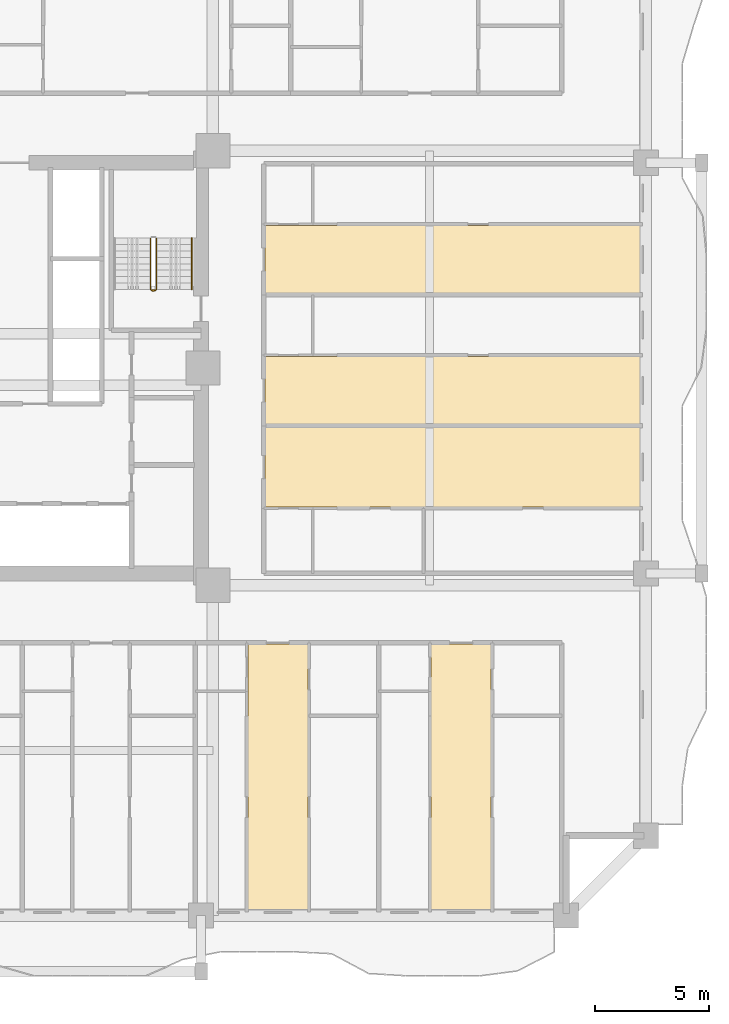
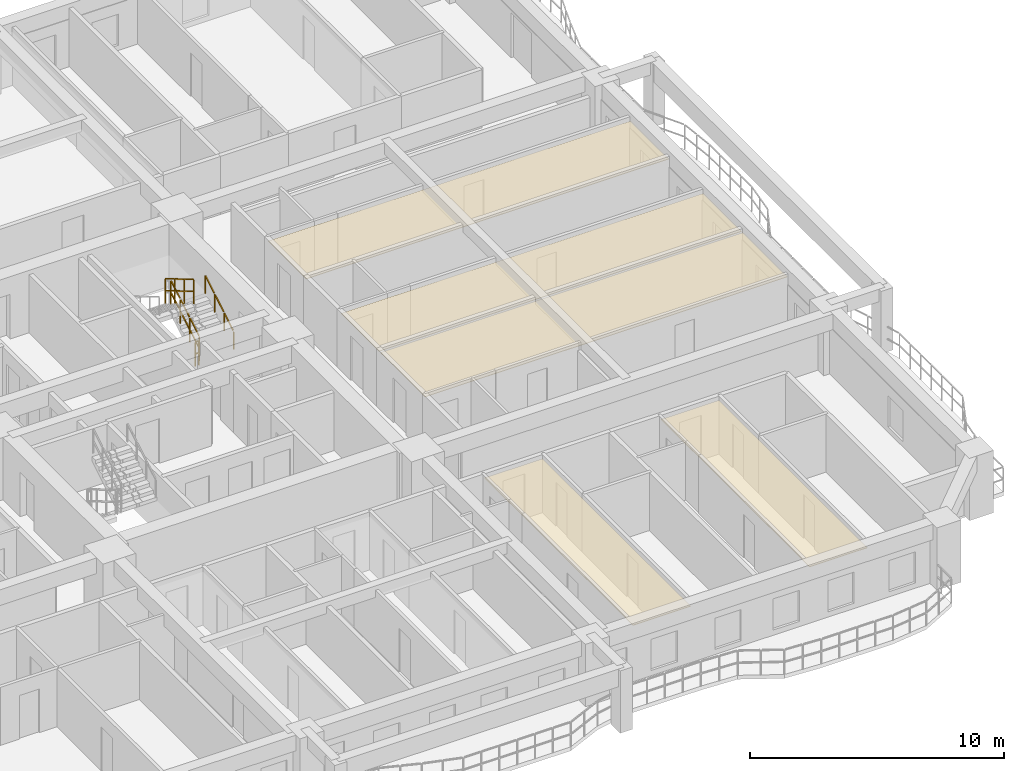
# One storey, part 14 of 16: 5 coverings, 4 railings.
"""IFC4 building model written with IfcOpenShell, lengths in metres."""

from ifc_helpers import new_model, si_unit, direction, frame, origin, origin_2d, place, context, subcontext, project, spatial, polyline, rectangle, outline, extrude, material, layer, layer_set, type_object, element, save


model = new_model("IFC4")

# Units and contexts
model_context = context("Model", 3, precision=1e-05, world=origin(), true_north=direction((0.0, 1.0)))
body_context = subcontext(model_context, "Body", "Model", "MODEL_VIEW")
ifc_project = project(units=[si_unit("LENGTHUNIT", "METRE"), si_unit("AREAUNIT", "SQUARE_METRE"), si_unit("VOLUMEUNIT", "CUBIC_METRE"), si_unit("PLANEANGLEUNIT", "RADIAN"), si_unit("MASSUNIT", "GRAM", prefix="KILO")], contexts=[model_context])

# Site, building, storey
site_placement = place(None, origin())
site = spatial("IfcSite", under=ifc_project, at=site_placement, CompositionType="ELEMENT")
building_placement = place(site_placement, origin())
building = spatial("IfcBuilding", under=site, at=building_placement, Name="Saelheon Loggia Tower", CompositionType="ELEMENT")
storey_placement = place(building_placement, frame((0.0, 0.0, 58.39990234375)))
storey = spatial("IfcBuildingStorey", under=building, at=storey_placement, Name="L18", CompositionType="ELEMENT", Elevation=58.39990234375)

# Coverings
ifc_material_1 = material(Name="Mineral-Fibre Acoustic Ceiling Board", Category="gypsum")
ifc_layer = layer(ifc_material_1, 0.02490234375)
ifc_layer_set = layer_set([ifc_layer], Name="Mineral-Fibre Acoustic Ceiling Board")
covering_type = type_object("IfcCoveringType", Name="Cov_Ceiling_Acoustic", PredefinedType="CEILING", material=ifc_layer_set)
covering_1_placement = place(storey_placement, frame((0.0, 0.0, 2.53515625)))
element("IfcCovering", 1, at=covering_1_placement, inside=storey, type_object=covering_type, Name="L18 Acoustic Suspended Ceiling", PredefinedType="CEILING", context=body_context, shape_type="SweptSolid", body=[
    extrude(outline(polyline([(46.549560546875, 3.199951171875), (49.181396484375, 3.199951171875), (49.181396484375, 14.89990234375), (46.549560546875, 14.89990234375), (46.549560546875, 3.199951171875)])), origin(), (0.0, 0.0, 1.0), 0.02490234375),
])
covering_2_placement = place(storey_placement, frame((0.0, 0.0, 2.53515625)))
element("IfcCovering", 2, at=covering_2_placement, inside=storey, type_object=covering_type, Name="L18 Acoustic Suspended Ceiling", PredefinedType="CEILING", context=body_context, shape_type="SweptSolid", body=[
    extrude(outline(polyline([(54.584716796875, 3.199951171875), (57.216552734375, 3.199951171875), (57.216552734375, 14.89990234375), (54.584716796875, 14.89990234375), (54.584716796875, 3.199951171875)])), origin(), (0.0, 0.0, 1.0), 0.02490234375),
])
covering_3_placement = place(storey_placement, frame((0.0, 0.0, 2.53515625)))
element("IfcCovering", 3, at=covering_3_placement, inside=storey, type_object=covering_type, Name="L18 Acoustic Suspended Ceiling", PredefinedType="CEILING", context=body_context, shape_type="SweptSolid", body=[
    extrude(outline(polyline([(47.300048828125, 20.89990234375), (63.800048828125, 20.89990234375), (63.800048828125, 24.412109375), (47.300048828125, 24.412109375), (47.300048828125, 20.89990234375)])), origin(), (0.0, 0.0, 1.0), 0.02490234375),
])
covering_4_placement = place(storey_placement, frame((0.0, 0.0, 2.53515625)))
element("IfcCovering", 4, at=covering_4_placement, inside=storey, type_object=covering_type, Name="L18 Acoustic Suspended Ceiling", PredefinedType="CEILING", context=body_context, shape_type="SweptSolid", body=[
    extrude(outline(polyline([(47.300048828125, 24.511962890625), (63.800048828125, 24.511962890625), (63.800048828125, 27.513916015625), (47.300048828125, 27.513916015625), (47.300048828125, 24.511962890625)])), origin(), (0.0, 0.0, 1.0), 0.02490234375),
])
covering_5_placement = place(storey_placement, frame((0.0, 0.0, 2.53515625)))
element("IfcCovering", 5, at=covering_5_placement, inside=storey, type_object=covering_type, Name="L18 Acoustic Suspended Ceiling", PredefinedType="CEILING", context=body_context, shape_type="SweptSolid", body=[
    extrude(outline(polyline([(47.300048828125, 30.256103515625), (63.800048828125, 30.256103515625), (63.800048828125, 33.2578125), (47.300048828125, 33.2578125), (47.300048828125, 30.256103515625)])), origin(), (0.0, 0.0, 1.0), 0.02490234375),
])

# Railings
ifc_material_2 = material(Name="Galvanised Steel S275 Stairwell Guardrail", Category="steel")
railing_type_1 = type_object("IfcRailingType", Name="Guard_StairWell_RL_STG", PredefinedType="GUARDRAIL", material=ifc_material_2)
railing_1_placement = place(storey_placement, frame((42.5400390625, 30.449951171875, 0.166748046875)))
element("IfcRailing", 6, at=railing_1_placement, inside=storey, type_object=railing_type_1, Name="L18 ST2 stair guard 1", PredefinedType="GUARDRAIL", context=body_context, shape_type="SweptSolid", body=[
    extrude(rectangle(XDim=0.048095703125, YDim=0.048095703125, at=origin_2d()), frame((0.0, 0.028564453125, 1.19287109375), z_axis=(0.0, 0.859305625298, 0.511462454469), x_axis=(-1.0, 0.0, 0.0)), (0.0, 0.0, 1.0), 0.802490234375),
    extrude(rectangle(XDim=0.048095703125, YDim=0.048095703125, at=origin_2d()), frame((0.0, 0.028564453125, 0.616943359375), z_axis=(0.0, 0.859305625298, 0.511462454469), x_axis=(-1.0, 0.0, 0.0)), (0.0, 0.0, 1.0), 0.802490234375),
    extrude(rectangle(XDim=0.048095703125, YDim=0.048095703125, at=origin_2d()), frame((0.0, 0.775146484375, 1.63720703125), z_axis=(0.0, 0.859305625298, 0.511462454469), x_axis=(-1.0, 0.0, 0.0)), (0.0, 0.0, 1.0), 0.802490234375),
    extrude(rectangle(XDim=0.048095703125, YDim=0.048095703125, at=origin_2d()), frame((0.0, 0.775146484375, 1.061279296875), z_axis=(0.0, 0.859305625298, 0.511462454469), x_axis=(-1.0, 0.0, 0.0)), (0.0, 0.0, 1.0), 0.802490234375),
    extrude(rectangle(XDim=0.048095703125, YDim=0.048095703125, at=origin_2d()), frame((0.0, 1.52197265625, 2.081787109375), z_axis=(0.0, 0.859305625298, 0.511462454469), x_axis=(-1.0, 0.0, 0.0)), (0.0, 0.0, 1.0), 0.802490234375),
    extrude(rectangle(XDim=0.048095703125, YDim=0.048095703125, at=origin_2d()), frame((0.0, 1.52197265625, 1.505859375), z_axis=(0.0, 0.859305625298, 0.511462454469), x_axis=(-1.0, 0.0, 0.0)), (0.0, 0.0, 1.0), 0.802490234375),
    extrude(rectangle(XDim=0.0419921875, YDim=0.0419921875, at=origin_2d()), origin(), (0.0, 0.0, 1.0), 1.14794921875),
    extrude(rectangle(XDim=0.0419921875, YDim=0.0419921875, at=origin_2d()), frame((0.0, 0.74658203125, 0.4443359375)), (0.0, 0.0, 1.0), 1.14794921875),
    extrude(rectangle(XDim=0.0419921875, YDim=0.0419921875, at=origin_2d()), frame((0.0, 1.493408203125, 0.888916015625)), (0.0, 0.0, 1.0), 1.14794921875),
    extrude(rectangle(XDim=0.0419921875, YDim=0.0419921875, at=origin_2d()), frame((0.0, 2.239990234375, 1.333251953125)), (0.0, 0.0, 1.0), 1.14794921875),
])
railing_2_placement = place(storey_placement, frame((42.280029296875, 32.68994140625, 1.666748046875)))
element("IfcRailing", 7, at=railing_2_placement, inside=storey, type_object=railing_type_1, Name="L18 ST2 stair guard 3", PredefinedType="GUARDRAIL", context=body_context, shape_type="SweptSolid", body=[
    extrude(rectangle(XDim=0.048095703125, YDim=0.048095703125, at=origin_2d()), frame((0.0, -0.028564453125, 1.19287109375), z_axis=(0.0, -0.859305625298, 0.511462454469), x_axis=(1.0, 0.0, 0.0)), (0.0, 0.0, 1.0), 0.802490234375),
    extrude(rectangle(XDim=0.048095703125, YDim=0.048095703125, at=origin_2d()), frame((0.0, -0.028564453125, 0.616943359375), z_axis=(0.0, -0.859305625298, 0.511462454469), x_axis=(1.0, 0.0, 0.0)), (0.0, 0.0, 1.0), 0.802490234375),
    extrude(rectangle(XDim=0.048095703125, YDim=0.048095703125, at=origin_2d()), frame((0.0, -0.775146484375, 1.63720703125), z_axis=(0.0, -0.859305625298, 0.511462454469), x_axis=(1.0, 0.0, 0.0)), (0.0, 0.0, 1.0), 0.802490234375),
    extrude(rectangle(XDim=0.048095703125, YDim=0.048095703125, at=origin_2d()), frame((0.0, -0.775146484375, 1.061279296875), z_axis=(0.0, -0.859305625298, 0.511462454469), x_axis=(1.0, 0.0, 0.0)), (0.0, 0.0, 1.0), 0.802490234375),
    extrude(rectangle(XDim=0.048095703125, YDim=0.048095703125, at=origin_2d()), frame((0.0, -1.52197265625, 2.081787109375), z_axis=(0.0, -0.859305625298, 0.511462454469), x_axis=(1.0, 0.0, 0.0)), (0.0, 0.0, 1.0), 0.802490234375),
    extrude(rectangle(XDim=0.048095703125, YDim=0.048095703125, at=origin_2d()), frame((0.0, -1.52197265625, 1.505859375), z_axis=(0.0, -0.859305625298, 0.511462454469), x_axis=(1.0, 0.0, 0.0)), (0.0, 0.0, 1.0), 0.802490234375),
    extrude(rectangle(XDim=0.0419921875, YDim=0.0419921875, at=origin_2d()), origin(), (0.0, 0.0, 1.0), 1.14794921875),
    extrude(rectangle(XDim=0.0419921875, YDim=0.0419921875, at=origin_2d()), frame((0.0, -0.74658203125, 0.4443359375)), (0.0, 0.0, 1.0), 1.14794921875),
    extrude(rectangle(XDim=0.0419921875, YDim=0.0419921875, at=origin_2d()), frame((0.0, -1.493408203125, 0.888916015625)), (0.0, 0.0, 1.0), 1.14794921875),
    extrude(rectangle(XDim=0.0419921875, YDim=0.0419921875, at=origin_2d()), frame((0.0, -2.239990234375, 1.333251953125)), (0.0, 0.0, 1.0), 1.14794921875),
])
railing_3_placement = place(storey_placement, frame((42.489990234375, 30.39990234375, 0.0)))
element("IfcRailing", 8, at=railing_3_placement, inside=storey, type_object=railing_type_1, Name="L18 ST2 stair guard 4", PredefinedType="GUARDRAIL", context=body_context, shape_type="SweptSolid", body=[
    extrude(rectangle(XDim=0.048095703125, YDim=0.048095703125, at=origin_2d()), frame((-0.033203125, 0.0, 1.17578125), z_axis=(-1.0, 0.0, 0.0), x_axis=(0.0, -1.0, 0.0)), (0.0, 0.0, 1.0), 0.093505859375),
    extrude(rectangle(XDim=0.048095703125, YDim=0.048095703125, at=origin_2d()), frame((-0.033203125, 0.0, 0.60009765625), z_axis=(-1.0, 0.0, 0.0), x_axis=(0.0, -1.0, 0.0)), (0.0, 0.0, 1.0), 0.093505859375),
    extrude(rectangle(XDim=0.0419921875, YDim=0.0419921875, at=origin_2d()), origin(), (0.0, 0.0, 1.0), 1.14794921875),
    extrude(rectangle(XDim=0.0419921875, YDim=0.0419921875, at=origin_2d()), frame((-0.159912109375, 0.0, 0.0)), (0.0, 0.0, 1.0), 1.14794921875),
])
ifc_material_3 = material(Name="Stainless Steel 304 Tubular Handrail", Category="steel")
railing_type_2 = type_object("IfcRailingType", Name="Handrail_Stair_RL_HR1", PredefinedType="HANDRAIL", material=ifc_material_3)
railing_4_placement = place(storey_placement, frame((44.10009765625, 30.449951171875, 0.166748046875)))
element("IfcRailing", 9, at=railing_4_placement, inside=storey, type_object=railing_type_2, Name="L18 ST2 stair handrail 1", PredefinedType="HANDRAIL", context=body_context, shape_type="SweptSolid", body=[
    extrude(rectangle(XDim=0.048095703125, YDim=0.048095703125, at=origin_2d()), frame((0.0, 0.028564453125, 0.892822265625), z_axis=(0.0, 0.859305625298, 0.511462454469), x_axis=(-1.0, 0.0, 0.0)), (0.0, 0.0, 1.0), 0.802490234375),
    extrude(rectangle(XDim=0.048095703125, YDim=0.048095703125, at=origin_2d()), frame((0.0, 0.775146484375, 1.337158203125), z_axis=(0.0, 0.859305625298, 0.511462454469), x_axis=(-1.0, 0.0, 0.0)), (0.0, 0.0, 1.0), 0.802490234375),
    extrude(rectangle(XDim=0.048095703125, YDim=0.048095703125, at=origin_2d()), frame((0.0, 1.52197265625, 1.78173828125), z_axis=(0.0, 0.859305625298, 0.511462454469), x_axis=(-1.0, 0.0, 0.0)), (0.0, 0.0, 1.0), 0.802490234375),
    extrude(rectangle(XDim=0.0419921875, YDim=0.0419921875, at=origin_2d()), origin(), (0.0, 0.0, 1.0), 0.847900390625),
    extrude(rectangle(XDim=0.0419921875, YDim=0.0419921875, at=origin_2d()), frame((0.0, 0.74658203125, 0.4443359375)), (0.0, 0.0, 1.0), 0.847900390625),
    extrude(rectangle(XDim=0.0419921875, YDim=0.0419921875, at=origin_2d()), frame((0.0, 1.493408203125, 0.888916015625)), (0.0, 0.0, 1.0), 0.847900390625),
    extrude(rectangle(XDim=0.0419921875, YDim=0.0419921875, at=origin_2d()), frame((0.0, 2.239990234375, 1.333251953125)), (0.0, 0.0, 1.0), 0.847900390625),
])

save(model, "model.ifc")
